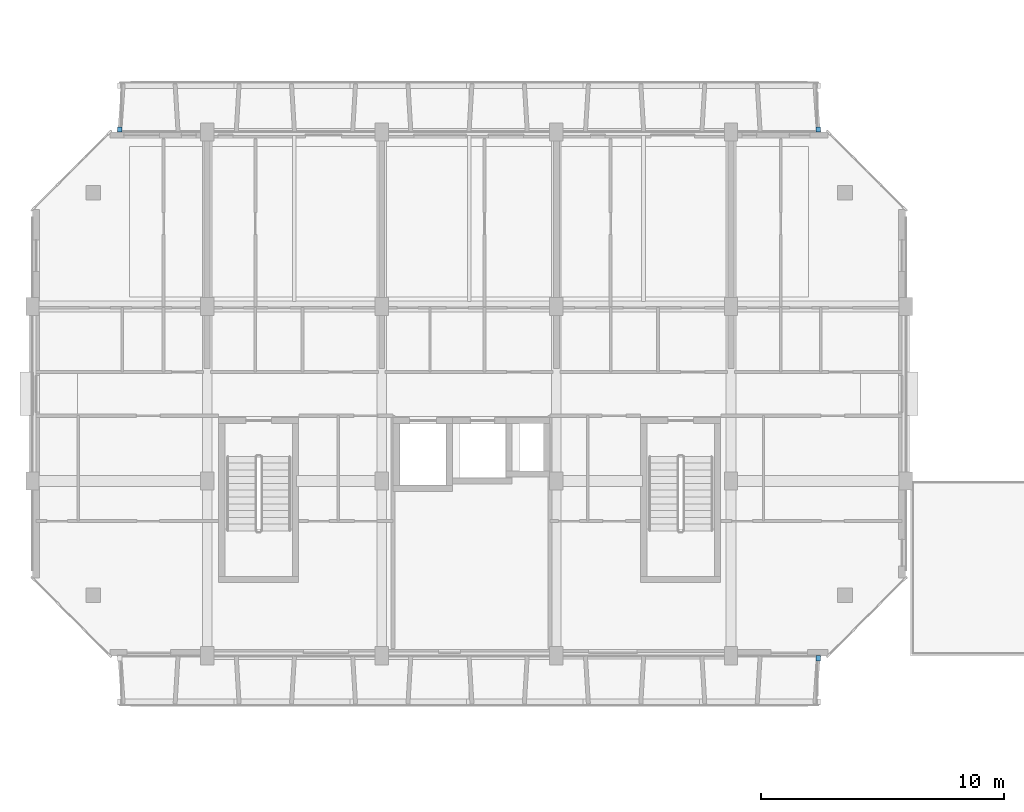
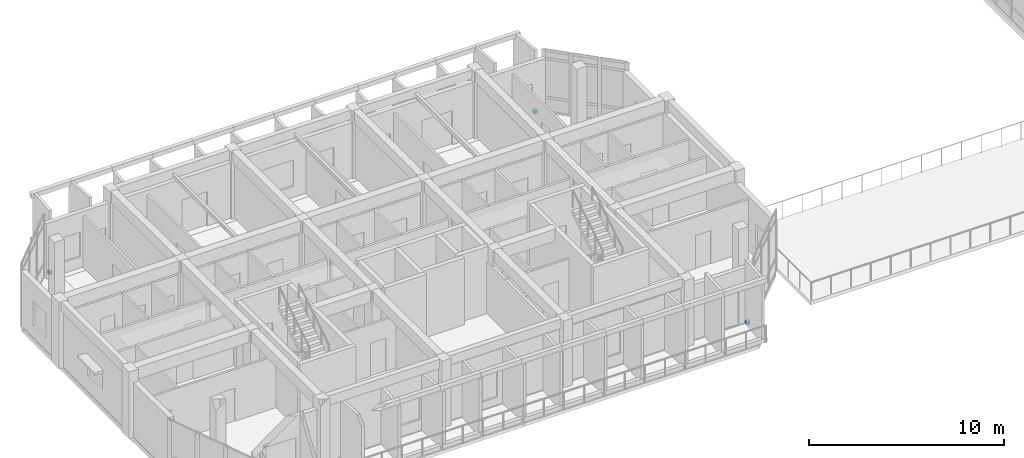
# One storey, part 65 of 85: 3 discrete accessories.
"""IFC4 building model written with IfcOpenShell, lengths in metres."""

from ifc_helpers import new_model, si_unit, direction, frame, origin, origin_2d, place, context, subcontext, project, spatial, rectangle, extrude, material, type_object, element, save


model = new_model("IFC4")

# Units and contexts
model_context = context("Model", 3, precision=1e-05, world=origin(), true_north=direction((0.0, 1.0)))
body_context = subcontext(model_context, "Body", "Model", "MODEL_VIEW")
ifc_project = project(units=[si_unit("LENGTHUNIT", "METRE"), si_unit("AREAUNIT", "SQUARE_METRE"), si_unit("VOLUMEUNIT", "CUBIC_METRE"), si_unit("PLANEANGLEUNIT", "RADIAN"), si_unit("MASSUNIT", "GRAM", prefix="KILO")], contexts=[model_context])

# Site, building, storey
site_placement = place(None, origin())
site = spatial("IfcSite", under=ifc_project, at=site_placement, CompositionType="ELEMENT")
building_placement = place(site_placement, origin())
building = spatial("IfcBuilding", under=site, at=building_placement, Name="Ochrevale Crest", CompositionType="ELEMENT")
storey_placement = place(building_placement, frame((0.0, 0.0, 4.5)))
storey = spatial("IfcBuildingStorey", under=building, at=storey_placement, Name="L01", CompositionType="ELEMENT", Elevation=4.5)

# Discrete accessories
ifc_material = material(Name="Galvanised steel", Category="steel")
discrete_accessory_type = type_object("IfcDiscreteAccessoryType", Name="ACC-BRK-HC", PredefinedType="BRACKET", material=ifc_material)
for number, where, z_axis, x_axis, name in (
    (1, (32.39990234375, 71.89990234375, 0.0), (0.0, 0.0, 1.0), (1.0, 0.0, 0.0), "Block B L01 precast loggia corbel bracket"),
    (2, (3.60009765625, 93.699951171875, 0.0), (0.0, 0.0, 1.0), (1.0, 0.0, 0.0), "Block B L01 precast loggia corbel bracket"),
    (3, (32.39990234375, 93.699951171875, 0.0), (0.0, 0.0, 1.0), (1.0, 0.0, 0.0), "Block B L01 precast loggia corbel bracket"),
):
    element("IfcDiscreteAccessory", number, at=place(storey_placement, frame(where, z_axis=z_axis, x_axis=x_axis)), inside=storey, type_object=discrete_accessory_type, Name=name, PredefinedType="BRACKET", context=body_context, shape_type="SweptSolid", body=[
        extrude(rectangle(XDim=0.179931640625, YDim=0.219970703125, at=origin_2d()), origin(), (0.0, 0.0, 1.0), 0.179931640625),
    ])

save(model, "model.ifc")
